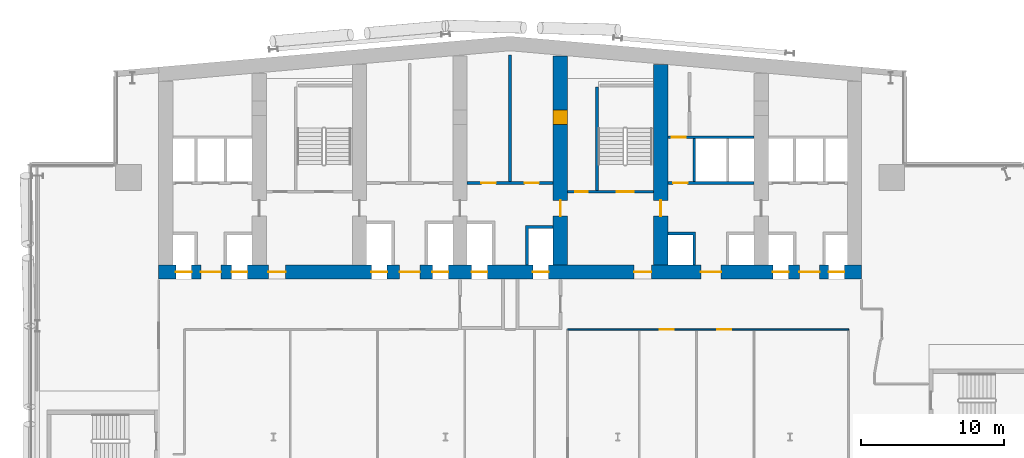
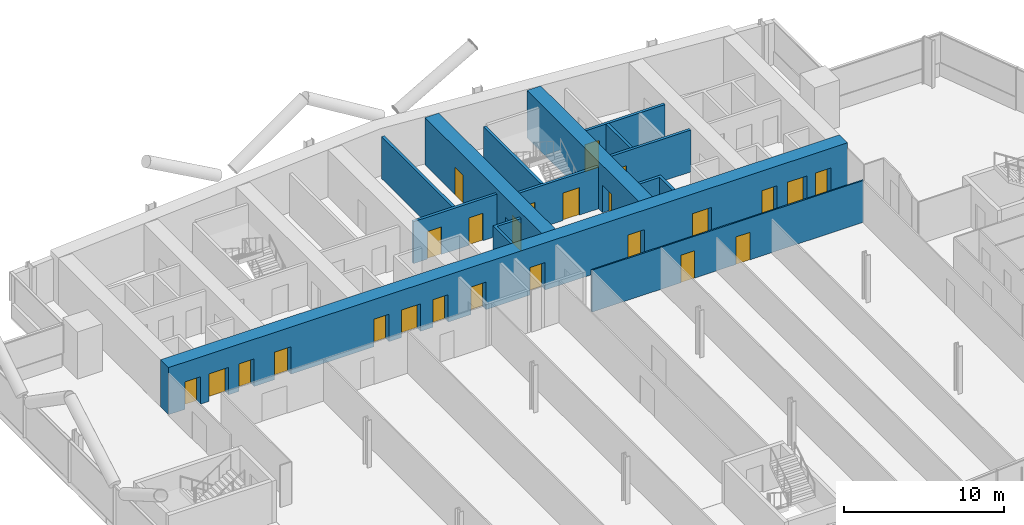
# One storey, part 16 of 26: 25 doors, 13 walls, 25 openings.
"""IFC4 building model written with IfcOpenShell, lengths in metres."""

import ifcopenshell
import ifcopenshell.guid

model = None  # the IFC model being written
_history = None  # IfcOwnerHistory: only IFC2X3 demands one
_inside = {}  # id of a spatial element -> (the spatial element, [elements in it])
_under = {}  # id of a project, library or spatial element -> (it, [spatial elements below it])
_declared = {}  # id of a project -> (the project, [libraries it declares])
_typed = {}  # id of a type object -> (the type object, [elements of that type])
_made_of = {}  # id of a material, layer set ... -> (it, [elements and type objects made of it])


def new_model(schema):
    """Start an empty IFC model of exactly this schema.

    Asked for "IFC4X3", IfcOpenShell would pick the latest addendum, in which some entities
    have other attributes; the version numbers below select the first issue.
    IFC2X3 requires an IfcOwnerHistory on every rooted entity: one is made here for all.
    """
    global model, _history
    if schema == "IFC4X3":
        model = ifcopenshell.file(schema_version=(4, 3, 0, 0))
    else:
        model = ifcopenshell.file(schema=schema)
    _inside.clear()
    _under.clear()
    _declared.clear()
    _typed.clear()
    _made_of.clear()
    _history = None
    if model.schema == "IFC2X3":
        org = make("IfcOrganization", Name="unknown")
        user = make(
            "IfcPersonAndOrganization",
            ThePerson=make("IfcPerson", FamilyName="unknown"),
            TheOrganization=org,
        )
        app = make(
            "IfcApplication",
            ApplicationDeveloper=org,
            Version="unknown",
            ApplicationFullName="unknown",
            ApplicationIdentifier="unknown",
        )
        _history = make(
            "IfcOwnerHistory",
            OwningUser=user,
            OwningApplication=app,
            ChangeAction="ADDED",
            CreationDate=0,
        )
    return model


def make(cls, **values):
    """One entity of the class cls with the attributes given. An attribute that is None is left unset."""
    return model.create_entity(
        cls, **{name: value for name, value in values.items() if value is not None}
    )


def rooted(cls, **values):
    """An entity with a GlobalId (a new one), such as an element, a storey or a relation."""
    return make(cls, GlobalId=ifcopenshell.guid.new(), OwnerHistory=_history, **values)


def si_unit(unit_type, name, prefix=None):
    """IfcSIUnit, for example si_unit("LENGTHUNIT", "METRE", prefix="MILLI")."""
    return make("IfcSIUnit", UnitType=unit_type, Prefix=prefix, Name=name)


def assignment(units):
    """IfcUnitAssignment: the units of a project."""
    return None if units is None else make("IfcUnitAssignment", Units=units)


def point(xyz):
    """IfcCartesianPoint."""
    return None if xyz is None else make("IfcCartesianPoint", Coordinates=xyz)


def direction(xyz):
    """IfcDirection."""
    return None if xyz is None else make("IfcDirection", DirectionRatios=xyz)


def frame(location, z_axis=None, x_axis=None):
    """IfcAxis2Placement3D, a coordinate frame: its origin and axes. An axis left out is left unset."""
    return make(
        "IfcAxis2Placement3D",
        Location=point(location),
        Axis=direction(z_axis),
        RefDirection=direction(x_axis),
    )


def frame_2d(location, x_axis=None):
    """IfcAxis2Placement2D, a coordinate frame in the plane: its origin and x axis."""
    return make(
        "IfcAxis2Placement2D", Location=point(location), RefDirection=direction(x_axis)
    )


def origin():
    """The frame at (0, 0, 0) with its axes left unset."""
    return frame((0.0, 0.0, 0.0))


def place(relative_to, where):
    """IfcLocalPlacement: puts the frame where relative to a parent placement (None: the world)."""
    return make(
        "IfcLocalPlacement", PlacementRelTo=relative_to, RelativePlacement=where
    )


def context(
    kind, dimensions, precision=None, world=None, true_north=None, identifier=None
):
    """IfcGeometricRepresentationContext, for example the 3D "Model" context."""
    return make(
        "IfcGeometricRepresentationContext",
        ContextIdentifier=identifier,
        ContextType=kind,
        CoordinateSpaceDimension=dimensions,
        Precision=precision,
        WorldCoordinateSystem=world,
        TrueNorth=true_north,
    )


def subcontext(parent, identifier, kind, view, scale=None):
    """IfcGeometricRepresentationSubContext, for example "Body" below "Model"."""
    return make(
        "IfcGeometricRepresentationSubContext",
        ContextIdentifier=identifier,
        ContextType=kind,
        ParentContext=parent,
        TargetScale=scale,
        TargetView=view,
    )


def project(units=None, contexts=None):
    """IfcProject with its units and contexts."""
    return rooted(
        "IfcProject",
        Name="project",
        RepresentationContexts=contexts,
        UnitsInContext=assignment(units),
    )


def spatial(cls, under=None, at=None, **own):
    """A site, building, storey or space (cls), placed at a placement, below another one or the project."""
    s = rooted(cls, ObjectPlacement=at, **own)
    if under is not None:
        _under.setdefault(under.id(), (under, []))[1].append(s)
    return s


def polyline(points):
    """IfcPolyline through the points."""
    return make("IfcPolyline", Points=[point(p) for p in points])


def profile(cls, at=None, kind="AREA", **sizes):
    """A parametric profile (cls). Its sizes go by their IFC names, for example OverallWidth=200.0."""
    return make(cls, ProfileType=kind, Position=at, **sizes)


def rectangle(**sizes):
    """IfcRectangleProfileDef."""
    return profile("IfcRectangleProfileDef", **sizes)


def outline(outer, holes=None, kind="AREA"):
    """IfcArbitraryClosedProfileDef: a profile drawn as a closed curve; with holes, ...WithVoids."""
    if holes is None:
        return make("IfcArbitraryClosedProfileDef", ProfileType=kind, OuterCurve=outer)
    return make(
        "IfcArbitraryProfileDefWithVoids",
        ProfileType=kind,
        OuterCurve=outer,
        InnerCurves=holes,
    )


def extrude(swept, where, along, depth):
    """IfcExtrudedAreaSolid: the profile swept, set in the frame where, extruded along a direction by depth."""
    return make(
        "IfcExtrudedAreaSolid",
        SweptArea=swept,
        Position=where,
        ExtrudedDirection=direction(along),
        Depth=depth,
    )


def shape(context_of_items, identifier, shape_type, items):
    """IfcShapeRepresentation: the items that make up one representation, for example the "Body"."""
    return make(
        "IfcShapeRepresentation",
        ContextOfItems=context_of_items,
        RepresentationIdentifier=identifier,
        RepresentationType=shape_type,
        Items=items,
    )


def material(Name=None, Category=None):
    """IfcMaterial."""
    return make("IfcMaterial", Name=Name, Category=Category)


def layer(
    of_material, thickness, ventilated=None, Name=None, Category=None, Priority=None
):
    """IfcMaterialLayer: one layer of a wall or slab, of a material (None: an air gap)."""
    return make(
        "IfcMaterialLayer",
        Material=of_material,
        LayerThickness=thickness,
        IsVentilated=ventilated,
        Name=Name,
        Category=Category,
        Priority=Priority,
    )


def layer_set(layers, Name=None):
    """IfcMaterialLayerSet."""
    return make("IfcMaterialLayerSet", MaterialLayers=layers, LayerSetName=Name)


def made_of(thing, what):
    """Note that an element or type object is made of a material, layer set ...; save() writes the relation."""
    if what is not None:
        _made_of.setdefault(what.id(), (what, []))[1].append(thing)
    return thing


def type_object(cls, material=None, **own):
    """A type object (cls), such as IfcWallType, which elements share."""
    return made_of(rooted(cls, **own), material)


def element(
    cls,
    number,
    at=None,
    inside=None,
    cuts=None,
    type_object=None,
    material=None,
    context=None,
    identifier="Body",
    shape_type=None,
    held_by="IfcProductDefinitionShape",
    body=None,
    shapes=None,
    **own,
):
    """One element of the class cls, such as IfcWall. Its Tag is "e" and its number.

    at: its placement. inside: the storey or other place that contains it. cuts: it is an
    opening in that element (IfcRelVoidsElement). A single representation is given by context,
    identifier, shape_type and body (its items); several are given by shapes. held_by: the class
    of the entity that holds the representations. save() writes the other relations.
    """
    e = rooted(cls, Tag="e%d" % number, ObjectPlacement=at, **own)
    if body is not None:
        shapes = [shape(context, identifier, shape_type, body)]
    if shapes is not None:
        e.Representation = make(held_by, Representations=shapes)
    if inside is not None:
        _inside.setdefault(inside.id(), (inside, []))[1].append(e)
    if cuts is not None:
        rooted(
            "IfcRelVoidsElement", RelatingBuildingElement=cuts, RelatedOpeningElement=e
        )
    if type_object is not None:
        _typed.setdefault(type_object.id(), (type_object, []))[1].append(e)
    return made_of(e, material)


def fill(opening, filler):
    """IfcRelFillsElement: the door or window that sits in an opening."""
    return rooted(
        "IfcRelFillsElement",
        RelatingOpeningElement=opening,
        RelatedBuildingElement=filler,
    )


def aggregate(whole, parts):
    """IfcRelAggregates: a whole, such as a stair, and the parts it consists of."""
    return rooted("IfcRelAggregates", RelatingObject=whole, RelatedObjects=parts)


def save(model, path):
    """Write the relations noted so far, then the file.

    IfcRelAggregates (storeys below a building ...), IfcRelContainedInSpatialStructure (elements
    in a storey), IfcRelDefinesByType, IfcRelAssociatesMaterial and IfcRelDeclares: one each for
    every whole, place, type object, material and project.
    """
    for whole, parts in _under.values():
        aggregate(whole, parts)
    for where, things in _inside.values():
        rooted(
            "IfcRelContainedInSpatialStructure",
            RelatedElements=things,
            RelatingStructure=where,
        )
    for kind, things in _typed.values():
        rooted("IfcRelDefinesByType", RelatedObjects=things, RelatingType=kind)
    for what, things in _made_of.values():
        rooted("IfcRelAssociatesMaterial", RelatedObjects=things, RelatingMaterial=what)
    for by, libraries in _declared.values():
        rooted("IfcRelDeclares", RelatingContext=by, RelatedDefinitions=libraries)
    model.write(path)


model = new_model("IFC4")

# Units and contexts
model_context = context("Model", 3, precision=1e-05, world=origin(), true_north=direction((0.0, 1.0)))
body_context = subcontext(model_context, "Body", "Model", "MODEL_VIEW")
ifc_project = project(units=[si_unit("LENGTHUNIT", "METRE"), si_unit("AREAUNIT", "SQUARE_METRE"), si_unit("VOLUMEUNIT", "CUBIC_METRE"), si_unit("PLANEANGLEUNIT", "RADIAN"), si_unit("MASSUNIT", "GRAM", prefix="KILO")], contexts=[model_context])

# Site, building, storey
site_placement = place(None, origin())
site = spatial("IfcSite", under=ifc_project, at=site_placement, CompositionType="ELEMENT")
building_placement = place(site_placement, origin())
building = spatial("IfcBuilding", under=site, at=building_placement, Name="Wharfspan Tower", CompositionType="ELEMENT")
storey_placement = place(building_placement, frame((0.0, 0.0, 125.5)))
storey = spatial("IfcBuildingStorey", under=building, at=storey_placement, Name="L29", CompositionType="ELEMENT", Elevation=125.5)

# Wall, openings, doors
ifc_material_1 = material(Name="Gypsum board on steel studs", Category="steel")
ifc_layer_1 = layer(ifc_material_1, 0.100098)
ifc_layer_set_1 = layer_set([ifc_layer_1], Name="Gypsum board on steel studs")
wall_type_1 = type_object("IfcWallType", Name="Compartment wall 100 EI 60", PredefinedType="PARTITIONING", material=ifc_layer_set_1)
wall_1_placement = place(storey_placement, frame((44.51001, 30.5, 0.0), z_axis=(0.0, 0.0, 1.0), x_axis=(1.0, 0.0, 0.0)))
wall_1 = element("IfcWall", 1, at=wall_1_placement, inside=storey, type_object=wall_type_1, Name="Partition L29.w014", PredefinedType="PARTITIONING", context=body_context, shape_type="SweptSolid", body=[
    extrude(rectangle(XDim=19.590088, YDim=0.100098, at=frame_2d((9.794922, 0.0))), origin(), (0.0, 0.0, 1.0), 3.199951),
])
opening_1_placement = place(wall_1_placement, frame((6.409912, 0.0, 0.0)))
opening_1 = element("IfcOpeningElement", 2, at=opening_1_placement, cuts=wall_1, Name="Opening B4-13", PredefinedType="OPENING", context=body_context, shape_type="SweptSolid", body=[
    extrude(rectangle(XDim=1.0, YDim=2.100098, at=frame_2d((0.5, 1.050049))), frame((0.0, 0.060059, 0.0), z_axis=(0.0, -1.0, 0.0), x_axis=(1.0, 0.0, 0.0)), (0.0, 0.0, 1.0), 0.120117),
])
opening_2_placement = place(wall_1_placement, frame((10.409912, 0.0, 0.0)))
opening_2 = element("IfcOpeningElement", 3, at=opening_2_placement, cuts=wall_1, Name="Opening B4-14", PredefinedType="OPENING", context=body_context, shape_type="SweptSolid", body=[
    extrude(rectangle(XDim=1.0, YDim=2.100098, at=frame_2d((0.5, 1.050049))), frame((0.0, 0.060059, 0.0), z_axis=(0.0, -1.0, 0.0), x_axis=(1.0, 0.0, 0.0)), (0.0, 0.0, 1.0), 0.120117),
])
ifc_material_2 = material(Name="Fire-rated timber door leaf in steel frame", Category="steel")
door_type_1 = type_object("IfcDoorType", Name="Door 1000 FD30S Left", OperationType="SINGLE_SWING_LEFT", PredefinedType="DOOR", material=ifc_material_2)
door_1_placement = place(opening_1_placement, origin())
door_1 = element("IfcDoor", 4, at=door_1_placement, inside=storey, type_object=door_type_1, Name="Door B4-13", OperationType="SINGLE_SWING_LEFT", OverallHeight=2.100098, OverallWidth=1.0, PredefinedType="DOOR", context=body_context, shape_type="SweptSolid", body=[
    extrude(rectangle(XDim=1.0, YDim=2.100098, at=frame_2d((0.5, 1.050049))), frame((0.0, 0.024902, 0.0), z_axis=(0.0, -1.0, 0.0), x_axis=(1.0, 0.0, 0.0)), (0.0, 0.0, 1.0), 0.050049),
])
fill(opening_1, door_1)
door_type_2 = type_object("IfcDoorType", Name="Door 1000 FD30S Right", OperationType="SINGLE_SWING_RIGHT", PredefinedType="DOOR", material=ifc_material_2)
door_2_placement = place(opening_2_placement, origin())
door_2 = element("IfcDoor", 5, at=door_2_placement, inside=storey, type_object=door_type_2, Name="Door B4-14", OperationType="SINGLE_SWING_RIGHT", OverallHeight=2.100098, OverallWidth=1.0, PredefinedType="DOOR", context=body_context, shape_type="SweptSolid", body=[
    extrude(rectangle(XDim=1.0, YDim=2.100098, at=frame_2d((0.5, 1.050049))), frame((0.0, 0.024902, 0.0), z_axis=(0.0, -1.0, 0.0), x_axis=(1.0, 0.0, 0.0)), (0.0, 0.0, 1.0), 0.050049),
])
fill(opening_2, door_2)

# Wall
ifc_material_3 = material(Name="Calcium silicate masonry", Category="masonry")
ifc_layer_2 = layer(ifc_material_3, 0.199951)
ifc_layer_set_2 = layer_set([ifc_layer_2], Name="Calcium silicate masonry")
wall_type_2 = type_object("IfcWallType", Name="Core room wall 200", PredefinedType="PARTITIONING", material=ifc_layer_set_2)
wall_2_placement = place(storey_placement, frame((40.5, 40.800049, 0.0), z_axis=(0.0, 0.0, 1.0), x_axis=(0.0, 1.0, 0.0)))
element("IfcWall", 6, at=wall_2_placement, inside=storey, type_object=wall_type_2, Name="sw:L29:RP4.1", PredefinedType="PARTITIONING", context=body_context, shape_type="SweptSolid", body=[
    extrude(rectangle(XDim=8.844482, YDim=0.199951, at=frame_2d((4.422363, 0.0))), origin(), (0.0, 0.0, 1.0), 3.199951),
])

# Wall, openings, doors
ifc_material_4 = material(Name="Concrete C70/85", Category="concrete")
ifc_layer_3 = layer(ifc_material_4, 1.0)
ifc_layer_set_3 = layer_set([ifc_layer_3], Name="Concrete C70/85")
wall_type_3 = type_object("IfcWallType", Name="Core wall 1000 C70/85", PredefinedType="SHEAR", material=ifc_layer_set_3)
wall_3_placement = place(storey_placement, frame((16.0, 34.5, 0.0), z_axis=(0.0, 0.0, 1.0), x_axis=(1.0, 0.0, 0.0)))
wall_3 = element("IfcWall", 7, at=wall_3_placement, inside=storey, type_object=wall_type_3, Name="Core front wall L29", PredefinedType="SHEAR", context=body_context, shape_type="SweptSolid", body=[
    extrude(rectangle(XDim=49.0, YDim=1.0, at=frame_2d((24.5, 0.0))), origin(), (0.0, 0.0, 1.0), 3.600098),
])
opening_3_placement = place(wall_3_placement, frame((1.199951, 0.0, 0.0)))
opening_3 = element("IfcOpeningElement", 8, at=opening_3_placement, cuts=wall_3, Name="Opening LD.LA1.L29", PredefinedType="OPENING", context=body_context, shape_type="SweptSolid", body=[
    extrude(rectangle(XDim=1.100098, YDim=2.100098, at=frame_2d((0.550049, 1.050049))), frame((0.0, 0.51001, 0.0), z_axis=(0.0, -1.0, 0.0), x_axis=(1.0, 0.0, 0.0)), (0.0, 0.0, 1.0), 1.02002),
])
opening_4_placement = place(wall_3_placement, frame((5.083252, 0.0, 0.0)))
opening_4 = element("IfcOpeningElement", 9, at=opening_4_placement, cuts=wall_3, Name="Opening LD.LA2.L29", PredefinedType="OPENING", context=body_context, shape_type="SweptSolid", body=[
    extrude(rectangle(XDim=1.100098, YDim=2.100098, at=frame_2d((0.550049, 1.050049))), frame((0.0, 0.51001, 0.0), z_axis=(0.0, -1.0, 0.0), x_axis=(1.0, 0.0, 0.0)), (0.0, 0.0, 1.0), 1.02002),
])
opening_5_placement = place(wall_3_placement, frame((2.93335, 0.0, 0.0)))
opening_5 = element("IfcOpeningElement", 10, at=opening_5_placement, cuts=wall_3, Name="Opening HD29.1", PredefinedType="OPENING", context=body_context, shape_type="SweptSolid", body=[
    extrude(rectangle(XDim=1.399902, YDim=2.100098, at=frame_2d((0.699951, 1.050049))), frame((0.0, 0.51001, 0.0), z_axis=(0.0, -1.0, 0.0), x_axis=(1.0, 0.0, 0.0)), (0.0, 0.0, 1.0), 1.02002),
])
opening_6_placement = place(wall_3_placement, frame((7.649902, 0.0, 0.0)))
opening_6 = element("IfcOpeningElement", 11, at=opening_6_placement, cuts=wall_3, Name="Opening SV2.L29", PredefinedType="OPENING", context=body_context, shape_type="SweptSolid", body=[
    extrude(rectangle(XDim=1.199951, YDim=2.100098, at=frame_2d((0.600098, 1.050049))), frame((0.0, 0.51001, 0.0), z_axis=(0.0, -1.0, 0.0), x_axis=(1.0, 0.0, 0.0)), (0.0, 0.0, 1.0), 1.02002),
])
opening_7_placement = place(wall_3_placement, frame((14.81665, 0.0, 0.0)))
opening_7 = element("IfcOpeningElement", 12, at=opening_7_placement, cuts=wall_3, Name="Opening LD.SL1.L29", PredefinedType="OPENING", context=body_context, shape_type="SweptSolid", body=[
    extrude(rectangle(XDim=1.100098, YDim=2.100098, at=frame_2d((0.550049, 1.050049))), frame((0.0, 0.51001, 0.0), z_axis=(0.0, -1.0, 0.0), x_axis=(1.0, 0.0, 0.0)), (0.0, 0.0, 1.0), 1.02002),
])
opening_8_placement = place(wall_3_placement, frame((19.083252, 0.0, 0.0)))
opening_8 = element("IfcOpeningElement", 13, at=opening_8_placement, cuts=wall_3, Name="Opening LD.SL2.L29", PredefinedType="OPENING", context=body_context, shape_type="SweptSolid", body=[
    extrude(rectangle(XDim=1.100098, YDim=2.100098, at=frame_2d((0.550049, 1.050049))), frame((0.0, 0.51001, 0.0), z_axis=(0.0, -1.0, 0.0), x_axis=(1.0, 0.0, 0.0)), (0.0, 0.0, 1.0), 1.02002),
])
opening_9_placement = place(wall_3_placement, frame((16.800049, 0.0, 0.0)))
opening_9 = element("IfcOpeningElement", 14, at=opening_9_placement, cuts=wall_3, Name="Opening HD29.3", PredefinedType="OPENING", context=body_context, shape_type="SweptSolid", body=[
    extrude(rectangle(XDim=1.399902, YDim=2.100098, at=frame_2d((0.699951, 1.050049))), frame((0.0, 0.51001, 0.0), z_axis=(0.0, -1.0, 0.0), x_axis=(1.0, 0.0, 0.0)), (0.0, 0.0, 1.0), 1.02002),
])
opening_10_placement = place(wall_3_placement, frame((21.81665, 0.0, 0.0)))
opening_10 = element("IfcOpeningElement", 15, at=opening_10_placement, cuts=wall_3, Name="Opening LD.FF1.L29", PredefinedType="OPENING", context=body_context, shape_type="SweptSolid", body=[
    extrude(rectangle(XDim=1.100098, YDim=2.100098, at=frame_2d((0.550049, 1.050049))), frame((0.0, 0.51001, 0.0), z_axis=(0.0, -1.0, 0.0), x_axis=(1.0, 0.0, 0.0)), (0.0, 0.0, 1.0), 1.02002),
])
opening_11_placement = place(wall_3_placement, frame((26.083252, 0.0, 0.0)))
opening_11 = element("IfcOpeningElement", 16, at=opening_11_placement, cuts=wall_3, Name="Opening LD.FF2.L29", PredefinedType="OPENING", context=body_context, shape_type="SweptSolid", body=[
    extrude(rectangle(XDim=1.100098, YDim=2.100098, at=frame_2d((0.550049, 1.050049))), frame((0.0, 0.51001, 0.0), z_axis=(0.0, -1.0, 0.0), x_axis=(1.0, 0.0, 0.0)), (0.0, 0.0, 1.0), 1.02002),
])
opening_12_placement = place(wall_3_placement, frame((33.149902, 0.0, 0.0)))
opening_12 = element("IfcOpeningElement", 17, at=opening_12_placement, cuts=wall_3, Name="Opening SV5.L29", PredefinedType="OPENING", context=body_context, shape_type="SweptSolid", body=[
    extrude(rectangle(XDim=1.199951, YDim=2.100098, at=frame_2d((0.600098, 1.050049))), frame((0.0, 0.51001, 0.0), z_axis=(0.0, -1.0, 0.0), x_axis=(1.0, 0.0, 0.0)), (0.0, 0.0, 1.0), 1.02002),
])
opening_13_placement = place(wall_3_placement, frame((37.800049, 0.0, 0.0)))
opening_13 = element("IfcOpeningElement", 18, at=opening_13_placement, cuts=wall_3, Name="Opening HD29.6", PredefinedType="OPENING", context=body_context, shape_type="SweptSolid", body=[
    extrude(rectangle(XDim=1.399902, YDim=2.100098, at=frame_2d((0.699951, 1.050049))), frame((0.0, 0.51001, 0.0), z_axis=(0.0, -1.0, 0.0), x_axis=(1.0, 0.0, 0.0)), (0.0, 0.0, 1.0), 1.02002),
])
opening_14_placement = place(wall_3_placement, frame((42.81665, 0.0, 0.0)))
opening_14 = element("IfcOpeningElement", 19, at=opening_14_placement, cuts=wall_3, Name="Opening LD.LA6.L29", PredefinedType="OPENING", context=body_context, shape_type="SweptSolid", body=[
    extrude(rectangle(XDim=1.100098, YDim=2.100098, at=frame_2d((0.550049, 1.050049))), frame((0.0, 0.51001, 0.0), z_axis=(0.0, -1.0, 0.0), x_axis=(1.0, 0.0, 0.0)), (0.0, 0.0, 1.0), 1.02002),
])
opening_15_placement = place(wall_3_placement, frame((46.699951, 0.0, 0.0)))
opening_15 = element("IfcOpeningElement", 20, at=opening_15_placement, cuts=wall_3, Name="Opening LD.LA7.L29", PredefinedType="OPENING", context=body_context, shape_type="SweptSolid", body=[
    extrude(rectangle(XDim=1.100098, YDim=2.100098, at=frame_2d((0.550049, 1.050049))), frame((0.0, 0.51001, 0.0), z_axis=(0.0, -1.0, 0.0), x_axis=(1.0, 0.0, 0.0)), (0.0, 0.0, 1.0), 1.02002),
])
opening_16_placement = place(wall_3_placement, frame((44.666748, 0.0, 0.0)))
opening_16 = element("IfcOpeningElement", 21, at=opening_16_placement, cuts=wall_3, Name="Opening HD29.7", PredefinedType="OPENING", context=body_context, shape_type="SweptSolid", body=[
    extrude(rectangle(XDim=1.399902, YDim=2.100098, at=frame_2d((0.699951, 1.050049))), frame((0.0, 0.51001, 0.0), z_axis=(0.0, -1.0, 0.0), x_axis=(1.0, 0.0, 0.0)), (0.0, 0.0, 1.0), 1.02002),
])
ifc_material_5 = material(Name="Steel door leaf", Category="steel")
door_type_3 = type_object("IfcDoorType", Name="Hall entry door 1400x2100", OperationType="DOUBLE_DOOR_SINGLE_SWING", PredefinedType="DOOR", material=ifc_material_5)
door_3_placement = place(opening_5_placement, origin())
door_3 = element("IfcDoor", 22, at=door_3_placement, inside=storey, type_object=door_type_3, Name="d:L29:1:hd1", OperationType="DOUBLE_DOOR_SINGLE_SWING", OverallHeight=2.100098, OverallWidth=1.399902, PredefinedType="DOOR", context=body_context, shape_type="SweptSolid", body=[
    extrude(rectangle(XDim=1.399902, YDim=2.100098, at=frame_2d((0.699951, 1.050049))), frame((0.0, 0.024902, 0.0), z_axis=(0.0, -1.0, 0.0), x_axis=(1.0, 0.0, 0.0)), (0.0, 0.0, 1.0), 0.050049),
])
fill(opening_5, door_3)
door_4_placement = place(opening_9_placement, origin())
door_4 = element("IfcDoor", 23, at=door_4_placement, inside=storey, type_object=door_type_3, Name="d:L29:3:hd3", OperationType="DOUBLE_DOOR_SINGLE_SWING", OverallHeight=2.100098, OverallWidth=1.399902, PredefinedType="DOOR", context=body_context, shape_type="SweptSolid", body=[
    extrude(rectangle(XDim=1.399902, YDim=2.100098, at=frame_2d((0.699951, 1.050049))), frame((0.0, 0.024902, 0.0), z_axis=(0.0, -1.0, 0.0), x_axis=(1.0, 0.0, 0.0)), (0.0, 0.0, 1.0), 0.050049),
])
fill(opening_9, door_4)
door_5_placement = place(opening_13_placement, origin())
door_5 = element("IfcDoor", 24, at=door_5_placement, inside=storey, type_object=door_type_3, Name="d:L29:6:hd6", OperationType="DOUBLE_DOOR_SINGLE_SWING", OverallHeight=2.100098, OverallWidth=1.399902, PredefinedType="DOOR", context=body_context, shape_type="SweptSolid", body=[
    extrude(rectangle(XDim=1.399902, YDim=2.100098, at=frame_2d((0.699951, 1.050049))), frame((0.0, 0.024902, 0.0), z_axis=(0.0, -1.0, 0.0), x_axis=(1.0, 0.0, 0.0)), (0.0, 0.0, 1.0), 0.050049),
])
fill(opening_13, door_5)
door_6_placement = place(opening_16_placement, origin())
door_6 = element("IfcDoor", 25, at=door_6_placement, inside=storey, type_object=door_type_3, Name="d:L29:7:hd7", OperationType="DOUBLE_DOOR_SINGLE_SWING", OverallHeight=2.100098, OverallWidth=1.399902, PredefinedType="DOOR", context=body_context, shape_type="SweptSolid", body=[
    extrude(rectangle(XDim=1.399902, YDim=2.100098, at=frame_2d((0.699951, 1.050049))), frame((0.0, 0.024902, 0.0), z_axis=(0.0, -1.0, 0.0), x_axis=(1.0, 0.0, 0.0)), (0.0, 0.0, 1.0), 0.050049),
])
fill(opening_16, door_6)
ifc_material_6 = material(Name="Stainless steel", Category="steel")
door_type_4 = type_object("IfcDoorType", Name="Lift landing door 1100x2100", OperationType="DOUBLE_DOOR_SLIDING", PredefinedType="DOOR", material=ifc_material_6)
door_7_placement = place(opening_3_placement, origin())
door_7 = element("IfcDoor", 26, at=door_7_placement, inside=storey, type_object=door_type_4, Name="Landing door LA1 L29", OperationType="DOUBLE_DOOR_SLIDING", OverallHeight=2.100098, OverallWidth=1.100098, PredefinedType="DOOR", context=body_context, shape_type="SweptSolid", body=[
    extrude(rectangle(XDim=1.100098, YDim=2.100098, at=frame_2d((0.550049, 1.050049))), frame((0.0, 0.024902, 0.0), z_axis=(0.0, -1.0, 0.0), x_axis=(1.0, 0.0, 0.0)), (0.0, 0.0, 1.0), 0.050049),
])
fill(opening_3, door_7)
door_8_placement = place(opening_4_placement, origin())
door_8 = element("IfcDoor", 27, at=door_8_placement, inside=storey, type_object=door_type_4, Name="Landing door LA2 L29", OperationType="DOUBLE_DOOR_SLIDING", OverallHeight=2.100098, OverallWidth=1.100098, PredefinedType="DOOR", context=body_context, shape_type="SweptSolid", body=[
    extrude(rectangle(XDim=1.100098, YDim=2.100098, at=frame_2d((0.550049, 1.050049))), frame((0.0, 0.024902, 0.0), z_axis=(0.0, -1.0, 0.0), x_axis=(1.0, 0.0, 0.0)), (0.0, 0.0, 1.0), 0.050049),
])
fill(opening_4, door_8)
door_9_placement = place(opening_7_placement, origin())
door_9 = element("IfcDoor", 28, at=door_9_placement, inside=storey, type_object=door_type_4, Name="Landing door SL1 L29", OperationType="DOUBLE_DOOR_SLIDING", OverallHeight=2.100098, OverallWidth=1.100098, PredefinedType="DOOR", context=body_context, shape_type="SweptSolid", body=[
    extrude(rectangle(XDim=1.100098, YDim=2.100098, at=frame_2d((0.550049, 1.050049))), frame((0.0, 0.024902, 0.0), z_axis=(0.0, -1.0, 0.0), x_axis=(1.0, 0.0, 0.0)), (0.0, 0.0, 1.0), 0.050049),
])
fill(opening_7, door_9)
door_10_placement = place(opening_8_placement, origin())
door_10 = element("IfcDoor", 29, at=door_10_placement, inside=storey, type_object=door_type_4, Name="Landing door SL2 L29", OperationType="DOUBLE_DOOR_SLIDING", OverallHeight=2.100098, OverallWidth=1.100098, PredefinedType="DOOR", context=body_context, shape_type="SweptSolid", body=[
    extrude(rectangle(XDim=1.100098, YDim=2.100098, at=frame_2d((0.550049, 1.050049))), frame((0.0, 0.024902, 0.0), z_axis=(0.0, -1.0, 0.0), x_axis=(1.0, 0.0, 0.0)), (0.0, 0.0, 1.0), 0.050049),
])
fill(opening_8, door_10)
door_11_placement = place(opening_10_placement, origin())
door_11 = element("IfcDoor", 30, at=door_11_placement, inside=storey, type_object=door_type_4, Name="Landing door FF1 L29", OperationType="DOUBLE_DOOR_SLIDING", OverallHeight=2.100098, OverallWidth=1.100098, PredefinedType="DOOR", context=body_context, shape_type="SweptSolid", body=[
    extrude(rectangle(XDim=1.100098, YDim=2.100098, at=frame_2d((0.550049, 1.050049))), frame((0.0, 0.024902, 0.0), z_axis=(0.0, -1.0, 0.0), x_axis=(1.0, 0.0, 0.0)), (0.0, 0.0, 1.0), 0.050049),
])
fill(opening_10, door_11)
door_12_placement = place(opening_11_placement, origin())
door_12 = element("IfcDoor", 31, at=door_12_placement, inside=storey, type_object=door_type_4, Name="Landing door FF2 L29", OperationType="DOUBLE_DOOR_SLIDING", OverallHeight=2.100098, OverallWidth=1.100098, PredefinedType="DOOR", context=body_context, shape_type="SweptSolid", body=[
    extrude(rectangle(XDim=1.100098, YDim=2.100098, at=frame_2d((0.550049, 1.050049))), frame((0.0, 0.024902, 0.0), z_axis=(0.0, -1.0, 0.0), x_axis=(1.0, 0.0, 0.0)), (0.0, 0.0, 1.0), 0.050049),
])
fill(opening_11, door_12)
door_13_placement = place(opening_14_placement, origin())
door_13 = element("IfcDoor", 32, at=door_13_placement, inside=storey, type_object=door_type_4, Name="Landing door LA6 L29", OperationType="DOUBLE_DOOR_SLIDING", OverallHeight=2.100098, OverallWidth=1.100098, PredefinedType="DOOR", context=body_context, shape_type="SweptSolid", body=[
    extrude(rectangle(XDim=1.100098, YDim=2.100098, at=frame_2d((0.550049, 1.050049))), frame((0.0, 0.024902, 0.0), z_axis=(0.0, -1.0, 0.0), x_axis=(1.0, 0.0, 0.0)), (0.0, 0.0, 1.0), 0.050049),
])
fill(opening_14, door_13)
door_14_placement = place(opening_15_placement, origin())
door_14 = element("IfcDoor", 33, at=door_14_placement, inside=storey, type_object=door_type_4, Name="Landing door LA7 L29", OperationType="DOUBLE_DOOR_SLIDING", OverallHeight=2.100098, OverallWidth=1.100098, PredefinedType="DOOR", context=body_context, shape_type="SweptSolid", body=[
    extrude(rectangle(XDim=1.100098, YDim=2.100098, at=frame_2d((0.550049, 1.050049))), frame((0.0, 0.024902, 0.0), z_axis=(0.0, -1.0, 0.0), x_axis=(1.0, 0.0, 0.0)), (0.0, 0.0, 1.0), 0.050049),
])
fill(opening_15, door_14)
door_type_5 = type_object("IfcDoorType", Name="Stair door 1200x2100", OperationType="SINGLE_SWING_LEFT", PredefinedType="DOOR", material=ifc_material_5)
door_15_placement = place(opening_6_placement, origin())
door_15 = element("IfcDoor", 34, at=door_15_placement, inside=storey, type_object=door_type_5, Name="vd:L29:2", OperationType="SINGLE_SWING_LEFT", OverallHeight=2.100098, OverallWidth=1.199951, PredefinedType="DOOR", context=body_context, shape_type="SweptSolid", body=[
    extrude(rectangle(XDim=1.199951, YDim=2.100098, at=frame_2d((0.600098, 1.050049))), frame((0.0, 0.024902, 0.0), z_axis=(0.0, -1.0, 0.0), x_axis=(1.0, 0.0, 0.0)), (0.0, 0.0, 1.0), 0.050049),
])
fill(opening_6, door_15)
door_16_placement = place(opening_12_placement, origin())
door_16 = element("IfcDoor", 35, at=door_16_placement, inside=storey, type_object=door_type_5, Name="vd:L29:5", OperationType="SINGLE_SWING_LEFT", OverallHeight=2.100098, OverallWidth=1.199951, PredefinedType="DOOR", context=body_context, shape_type="SweptSolid", body=[
    extrude(rectangle(XDim=1.199951, YDim=2.100098, at=frame_2d((0.600098, 1.050049))), frame((0.0, 0.024902, 0.0), z_axis=(0.0, -1.0, 0.0), x_axis=(1.0, 0.0, 0.0)), (0.0, 0.0, 1.0), 0.050049),
])
fill(opening_12, door_16)

wall_4_placement = place(storey_placement, frame((44.0, 35.0, 0.0), z_axis=(0.0, 0.0, 1.0), x_axis=(0.0, 1.0, 0.0)))
wall_4 = element("IfcWall", 36, at=wall_4_placement, inside=storey, type_object=wall_type_3, Name="Core cross wall X5 L29", PredefinedType="SHEAR", context=body_context, shape_type="SweptSolid", body=[
    extrude(rectangle(XDim=14.577148, YDim=1.0, at=frame_2d((7.288574, 0.0))), origin(), (0.0, 0.0, 1.0), 3.600098),
])
opening_17_placement = place(wall_4_placement, frame((3.399902, 0.0, 0.0)))
opening_17 = element("IfcOpeningElement", 37, at=opening_17_placement, cuts=wall_4, Name="Opening CC29.5", PredefinedType="OPENING", context=body_context, shape_type="SweptSolid", body=[
    extrude(rectangle(XDim=1.100098, YDim=2.100098, at=frame_2d((0.550049, 1.050049))), frame((0.0, 0.51001, 0.0), z_axis=(0.0, -1.0, 0.0), x_axis=(1.0, 0.0, 0.0)), (0.0, 0.0, 1.0), 1.02002),
])
opening_18_placement = place(wall_4_placement, frame((9.800049, 0.0, 0.0)))
opening_18 = element("IfcOpeningElement", 38, at=opening_18_placement, cuts=wall_4, Name="Opening CR29.5", PredefinedType="OPENING", context=body_context, shape_type="SweptSolid", body=[
    extrude(rectangle(XDim=1.0, YDim=2.100098, at=frame_2d((0.5, 1.050049))), frame((0.0, 0.51001, 0.0), z_axis=(0.0, -1.0, 0.0), x_axis=(1.0, 0.0, 0.0)), (0.0, 0.0, 1.0), 1.02002),
])
door_type_6 = type_object("IfcDoorType", Name="Core corridor door 1100x2100", OperationType="SINGLE_SWING_LEFT", PredefinedType="DOOR", material=ifc_material_5)
door_17_placement = place(opening_17_placement, origin())
door_17 = element("IfcDoor", 39, at=door_17_placement, inside=storey, type_object=door_type_6, Name="xd:L29:5", OperationType="SINGLE_SWING_LEFT", OverallHeight=2.100098, OverallWidth=1.100098, PredefinedType="DOOR", context=body_context, shape_type="SweptSolid", body=[
    extrude(rectangle(XDim=1.100098, YDim=2.100098, at=frame_2d((0.550049, 1.050049))), frame((0.0, 0.024902, 0.0), z_axis=(0.0, -1.0, 0.0), x_axis=(1.0, 0.0, 0.0)), (0.0, 0.0, 1.0), 0.050049),
])
fill(opening_17, door_17)
door_type_7 = type_object("IfcDoorType", Name="Core room door 1000x2100", OperationType="SINGLE_SWING_LEFT", PredefinedType="DOOR", material=ifc_material_5)
door_18_placement = place(opening_18_placement, origin())
door_18 = element("IfcDoor", 40, at=door_18_placement, inside=storey, type_object=door_type_7, Name="xr:L29:5", OperationType="SINGLE_SWING_RIGHT", OverallHeight=2.100098, OverallWidth=1.0, PredefinedType="DOOR", context=body_context, shape_type="SweptSolid", body=[
    extrude(rectangle(XDim=1.0, YDim=2.100098, at=frame_2d((0.5, 1.050049))), frame((0.0, 0.499756, 0.0), z_axis=(0.0, -1.0, 0.0), x_axis=(1.0, 0.0, 0.0)), (0.0, 0.0, 1.0), 0.999512),
])
fill(opening_18, door_18)

# Wall, opening, door
wall_5_placement = place(storey_placement, frame((51.0, 35.0, 0.0), z_axis=(0.0, 0.0, 1.0), x_axis=(0.0, 1.0, 0.0)))
wall_5 = element("IfcWall", 41, at=wall_5_placement, inside=storey, type_object=wall_type_3, Name="Core cross wall X6 L29", PredefinedType="SHEAR", context=body_context, shape_type="SweptSolid", body=[
    extrude(rectangle(XDim=13.9646, YDim=1.0, at=frame_2d((6.982422, 0.0))), origin(), (0.0, 0.0, 1.0), 3.600098),
])
opening_19_placement = place(wall_5_placement, frame((3.399902, 0.0, 0.0)))
opening_19 = element("IfcOpeningElement", 42, at=opening_19_placement, cuts=wall_5, Name="Opening CC29.6", PredefinedType="OPENING", context=body_context, shape_type="SweptSolid", body=[
    extrude(rectangle(XDim=1.100098, YDim=2.100098, at=frame_2d((0.550049, 1.050049))), frame((0.0, 0.51001, 0.0), z_axis=(0.0, -1.0, 0.0), x_axis=(1.0, 0.0, 0.0)), (0.0, 0.0, 1.0), 1.02002),
])
door_19_placement = place(opening_19_placement, origin())
door_19 = element("IfcDoor", 43, at=door_19_placement, inside=storey, type_object=door_type_6, Name="xd:L29:6", OperationType="SINGLE_SWING_RIGHT", OverallHeight=2.100098, OverallWidth=1.100098, PredefinedType="DOOR", context=body_context, shape_type="SweptSolid", body=[
    extrude(rectangle(XDim=1.100098, YDim=2.100098, at=frame_2d((0.550049, 1.050049))), frame((0.0, 0.024902, 0.0), z_axis=(0.0, -1.0, 0.0), x_axis=(1.0, 0.0, 0.0)), (0.0, 0.0, 1.0), 0.050049),
])
fill(opening_19, door_19)

# Wall, openings, doors
ifc_material_7 = material(Name="Concrete C30/37", Category="concrete")
ifc_layer_4 = layer(ifc_material_7, 0.199951)
ifc_layer_set_4 = layer_set([ifc_layer_4], Name="Concrete C30/37")
wall_type_4 = type_object("IfcWallType", Name="Lift shaft wall 200", PredefinedType="PARTITIONING", material=ifc_layer_set_4)
wall_6_placement = place(storey_placement, frame((37.5, 40.699951, 0.0), z_axis=(0.0, 0.0, 1.0), x_axis=(1.0, 0.0, 0.0)))
wall_6 = element("IfcWall", 44, at=wall_6_placement, inside=storey, type_object=wall_type_4, Name="sw:L29:RF4", PredefinedType="PARTITIONING", context=body_context, shape_type="SweptSolid", body=[
    extrude(rectangle(XDim=6.0, YDim=0.199951, at=frame_2d((3.0, 0.0))), origin(), (0.0, 0.0, 1.0), 3.199951),
])
opening_20_placement = place(wall_6_placement, frame((1.0, 0.0, 0.0)))
opening_20 = element("IfcOpeningElement", 45, at=opening_20_placement, cuts=wall_6, Name="Opening CD29.4S", PredefinedType="OPENING", context=body_context, shape_type="SweptSolid", body=[
    extrude(rectangle(XDim=1.0, YDim=2.100098, at=frame_2d((0.5, 1.050049))), frame((0.0, 0.109863, 0.0), z_axis=(0.0, -1.0, 0.0), x_axis=(1.0, 0.0, 0.0)), (0.0, 0.0, 1.0), 0.219971),
])
opening_21_placement = place(wall_6_placement, frame((4.0, 0.0, 0.0)))
opening_21 = element("IfcOpeningElement", 46, at=opening_21_placement, cuts=wall_6, Name="Opening CD29.4Sa", PredefinedType="OPENING", context=body_context, shape_type="SweptSolid", body=[
    extrude(rectangle(XDim=1.0, YDim=2.100098, at=frame_2d((0.5, 1.050049))), frame((0.0, 0.109863, 0.0), z_axis=(0.0, -1.0, 0.0), x_axis=(1.0, 0.0, 0.0)), (0.0, 0.0, 1.0), 0.219971),
])
door_20_placement = place(opening_20_placement, origin())
door_20 = element("IfcDoor", 47, at=door_20_placement, inside=storey, type_object=door_type_7, Name="d:L29:4:sf", OperationType="SINGLE_SWING_LEFT", OverallHeight=2.100098, OverallWidth=1.0, PredefinedType="DOOR", context=body_context, shape_type="SweptSolid", body=[
    extrude(rectangle(XDim=1.0, YDim=2.100098, at=frame_2d((0.5, 1.050049))), frame((0.0, 0.024902, 0.0), z_axis=(0.0, -1.0, 0.0), x_axis=(1.0, 0.0, 0.0)), (0.0, 0.0, 1.0), 0.050049),
])
fill(opening_20, door_20)
door_21_placement = place(opening_21_placement, origin())
door_21 = element("IfcDoor", 48, at=door_21_placement, inside=storey, type_object=door_type_7, Name="d:L29:4:sf1", OperationType="SINGLE_SWING_LEFT", OverallHeight=2.100098, OverallWidth=1.0, PredefinedType="DOOR", context=body_context, shape_type="SweptSolid", body=[
    extrude(rectangle(XDim=1.0, YDim=2.100098, at=frame_2d((0.5, 1.050049))), frame((0.0, 0.024902, 0.0), z_axis=(0.0, -1.0, 0.0), x_axis=(1.0, 0.0, 0.0)), (0.0, 0.0, 1.0), 0.050049),
])
fill(opening_21, door_21)

# Wall
wall_7_placement = place(storey_placement, frame((0.0, 0.0, -0.000244)))
element("IfcWall", 49, at=wall_7_placement, inside=storey, type_object=wall_type_4, Name="sw:L29:FM4.0", PredefinedType="PARTITIONING", context=body_context, shape_type="SweptSolid", body=[
    extrude(outline(polyline([(41.56665, 37.75), (41.766602, 37.75), (43.5, 37.75), (43.5, 37.550049), (41.766602, 37.550049), (41.766602, 35.0), (41.56665, 35.0), (41.56665, 37.75)])), origin(), (0.0, 0.0, 1.0), 3.200195),
])

# Wall, opening, door
wall_8_placement = place(storey_placement, frame((51.5, 40.699951, 0.0), z_axis=(0.0, 0.0, 1.0), x_axis=(1.0, 0.0, 0.0)))
wall_8 = element("IfcWall", 50, at=wall_8_placement, inside=storey, type_object=wall_type_4, Name="sw:L29:RF6", PredefinedType="PARTITIONING", context=body_context, shape_type="SweptSolid", body=[
    extrude(rectangle(XDim=6.0, YDim=0.199951, at=frame_2d((3.0, 0.0))), origin(), (0.0, 0.0, 1.0), 3.199951),
])
opening_22_placement = place(wall_8_placement, frame((0.366699, 0.0, 0.0)))
opening_22 = element("IfcOpeningElement", 51, at=opening_22_placement, cuts=wall_8, Name="Opening CD29.6R1", PredefinedType="OPENING", context=body_context, shape_type="SweptSolid", body=[
    extrude(rectangle(XDim=1.0, YDim=2.100098, at=frame_2d((0.5, 1.050049))), frame((0.0, 0.109863, 0.0), z_axis=(0.0, -1.0, 0.0), x_axis=(1.0, 0.0, 0.0)), (0.0, 0.0, 1.0), 0.219971),
])
door_22_placement = place(opening_22_placement, origin())
door_22 = element("IfcDoor", 52, at=door_22_placement, inside=storey, type_object=door_type_7, Name="d:L29:6:rd6.1", OperationType="SINGLE_SWING_RIGHT", OverallHeight=2.100098, OverallWidth=1.0, PredefinedType="DOOR", context=body_context, shape_type="SweptSolid", body=[
    extrude(rectangle(XDim=1.0, YDim=2.100098, at=frame_2d((0.5, 1.050049))), frame((0.0, 0.024902, 0.0), z_axis=(0.0, -1.0, 0.0), x_axis=(1.0, 0.0, 0.0)), (0.0, 0.0, 1.0), 0.050049),
])
fill(opening_22, door_22)

wall_9_placement = place(storey_placement, frame((51.5, 43.899902, 0.0), z_axis=(0.0, 0.0, 1.0), x_axis=(1.0, 0.0, 0.0)))
wall_9 = element("IfcWall", 53, at=wall_9_placement, inside=storey, type_object=wall_type_4, Name="sw:L29:RR6", PredefinedType="PARTITIONING", context=body_context, shape_type="SweptSolid", body=[
    extrude(rectangle(XDim=6.0, YDim=0.199951, at=frame_2d((3.0, 0.0))), origin(), (0.0, 0.0, 1.0), 3.199951),
])
opening_23_placement = place(wall_9_placement, frame((0.25, 0.0, 0.0)))
opening_23 = element("IfcOpeningElement", 54, at=opening_23_placement, cuts=wall_9, Name="Opening CD29.6S1", PredefinedType="OPENING", context=body_context, shape_type="SweptSolid", body=[
    extrude(rectangle(XDim=1.0, YDim=2.100098, at=frame_2d((0.5, 1.050049))), frame((0.0, 0.109863, 0.0), z_axis=(0.0, -1.0, 0.0), x_axis=(1.0, 0.0, 0.0)), (0.0, 0.0, 1.0), 0.219971),
])
door_23_placement = place(opening_23_placement, origin())
door_23 = element("IfcDoor", 55, at=door_23_placement, inside=storey, type_object=door_type_7, Name="d:L29:6:rs6.1", OperationType="SINGLE_SWING_LEFT", OverallHeight=2.100098, OverallWidth=1.0, PredefinedType="DOOR", context=body_context, shape_type="SweptSolid", body=[
    extrude(rectangle(XDim=1.0, YDim=2.100098, at=frame_2d((0.5, 1.050049))), frame((0.0, 0.024902, 0.0), z_axis=(0.0, -1.0, 0.0), x_axis=(1.0, 0.0, 0.0)), (0.0, 0.0, 1.0), 0.050049),
])
fill(opening_23, door_23)

# Walls
wall_10_placement = place(storey_placement, frame((0.0, 0.0, -0.000244)))
element("IfcWall", 56, at=wall_10_placement, inside=storey, type_object=wall_type_4, Name="sw:L29:FM6.0", PredefinedType="PARTITIONING", context=body_context, shape_type="SweptSolid", body=[
    extrude(outline(polyline([(53.233398, 37.100098), (51.5, 37.100098), (51.5, 37.300049), (53.233398, 37.300049), (53.43335, 37.300049), (53.43335, 35.0), (53.233398, 35.0), (53.233398, 37.100098)])), origin(), (0.0, 0.0, 1.0), 3.200195),
])
wall_11_placement = place(storey_placement, frame((0.0, 0.0, -0.000244)))
element("IfcWall", 57, at=wall_11_placement, inside=storey, type_object=wall_type_4, Name="sw:L29:RM6.0", PredefinedType="PARTITIONING", context=body_context, shape_type="SweptSolid", body=[
    extrude(outline(polyline([(53.233398, 40.800049), (53.233398, 43.800049), (53.43335, 43.800049), (53.43335, 40.800049), (53.233398, 40.800049)])), origin(), (0.0, 0.0, 1.0), 3.200195),
])

# Wall, openings, doors
ifc_material_8 = material(Name="Concrete C40/50", Category="concrete")
ifc_layer_5 = layer(ifc_material_8, 0.199951)
ifc_layer_set_5 = layer_set([ifc_layer_5], Name="Concrete C40/50")
wall_type_5 = type_object("IfcWallType", Name="Stair shaft wall 200", PredefinedType="SHEAR", material=ifc_layer_set_5)
wall_12_placement = place(storey_placement, frame((44.5, 40.100098, 0.0), z_axis=(0.0, 0.0, 1.0), x_axis=(1.0, 0.0, 0.0)))
wall_12 = element("IfcWall", 58, at=wall_12_placement, inside=storey, type_object=wall_type_5, Name="ST2 stair enclosure wall L29", PredefinedType="SHEAR", context=body_context, shape_type="SweptSolid", body=[
    extrude(rectangle(XDim=6.0, YDim=0.199951, at=frame_2d((3.0, 0.0))), origin(), (0.0, 0.0, 1.0), 3.199951),
])
opening_24_placement = place(wall_12_placement, frame((3.425049, 0.0, 0.0)))
opening_24 = element("IfcOpeningElement", 59, at=opening_24_placement, cuts=wall_12, Name="Opening SD5.L29", PredefinedType="OPENING", context=body_context, shape_type="SweptSolid", body=[
    extrude(rectangle(XDim=1.199951, YDim=2.100098, at=frame_2d((0.600098, 1.050049))), frame((0.0, 0.109863, 0.0), z_axis=(0.0, -1.0, 0.0), x_axis=(1.0, 0.0, 0.0)), (0.0, 0.0, 1.0), 0.219971),
])
opening_25_placement = place(wall_12_placement, frame((0.524902, 0.0, 0.0)))
opening_25 = element("IfcOpeningElement", 60, at=opening_25_placement, cuts=wall_12, Name="Opening CD29.5R", PredefinedType="OPENING", context=body_context, shape_type="SweptSolid", body=[
    extrude(rectangle(XDim=0.899902, YDim=2.100098, at=frame_2d((0.449951, 1.050049))), frame((0.0, 0.109863, 0.0), z_axis=(0.0, -1.0, 0.0), x_axis=(1.0, 0.0, 0.0)), (0.0, 0.0, 1.0), 0.219971),
])
door_24_placement = place(opening_25_placement, origin())
door_24 = element("IfcDoor", 61, at=door_24_placement, inside=storey, type_object=door_type_7, Name="rk:L29:5", OperationType="SINGLE_SWING_LEFT", OverallHeight=2.100098, OverallWidth=0.899902, PredefinedType="DOOR", context=body_context, shape_type="SweptSolid", body=[
    extrude(rectangle(XDim=0.899902, YDim=2.100098, at=frame_2d((0.449951, 1.050049))), frame((0.0, 0.024902, 0.0), z_axis=(0.0, -1.0, 0.0), x_axis=(1.0, 0.0, 0.0)), (0.0, 0.0, 1.0), 0.050049),
])
fill(opening_25, door_24)
door_25_placement = place(opening_24_placement, origin())
door_25 = element("IfcDoor", 62, at=door_25_placement, inside=storey, type_object=door_type_5, Name="sd:L29:5", OperationType="SINGLE_SWING_RIGHT", OverallHeight=2.100098, OverallWidth=1.199951, PredefinedType="DOOR", context=body_context, shape_type="SweptSolid", body=[
    extrude(rectangle(XDim=1.199951, YDim=2.100098, at=frame_2d((0.600098, 1.050049))), frame((0.0, 0.024902, 0.0), z_axis=(0.0, -1.0, 0.0), x_axis=(1.0, 0.0, 0.0)), (0.0, 0.0, 1.0), 0.050049),
])
fill(opening_24, door_25)

# Wall
wall_13_placement = place(storey_placement, frame((46.550049, 40.199951, 0.0), z_axis=(0.0, 0.0, 1.0), x_axis=(0.0, 1.0, 0.0)))
element("IfcWall", 63, at=wall_13_placement, inside=storey, type_object=wall_type_5, Name="ST2 stair enclosure wall L29", PredefinedType="SHEAR", context=body_context, shape_type="SweptSolid", body=[
    extrude(rectangle(XDim=7.199951, YDim=0.199951, at=frame_2d((3.600098, 0.0))), origin(), (0.0, 0.0, 1.0), 3.199951),
])

save(model, "model.ifc")
